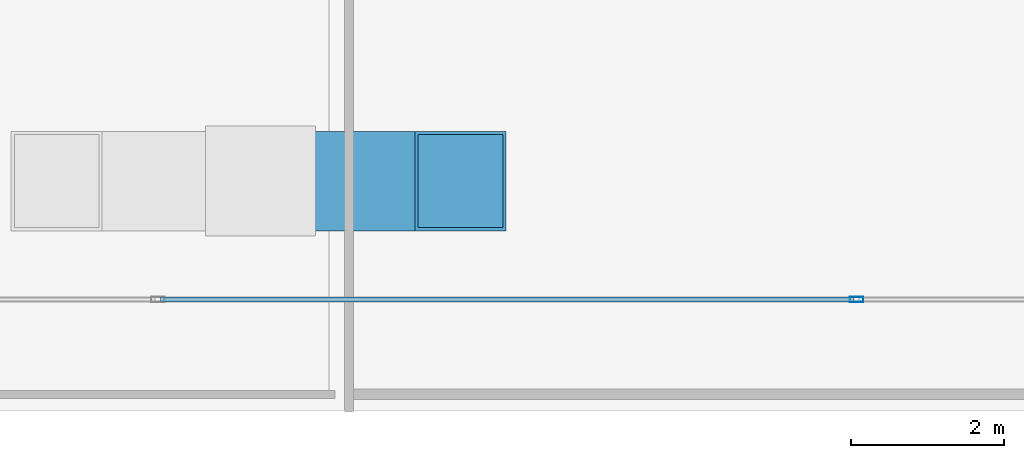
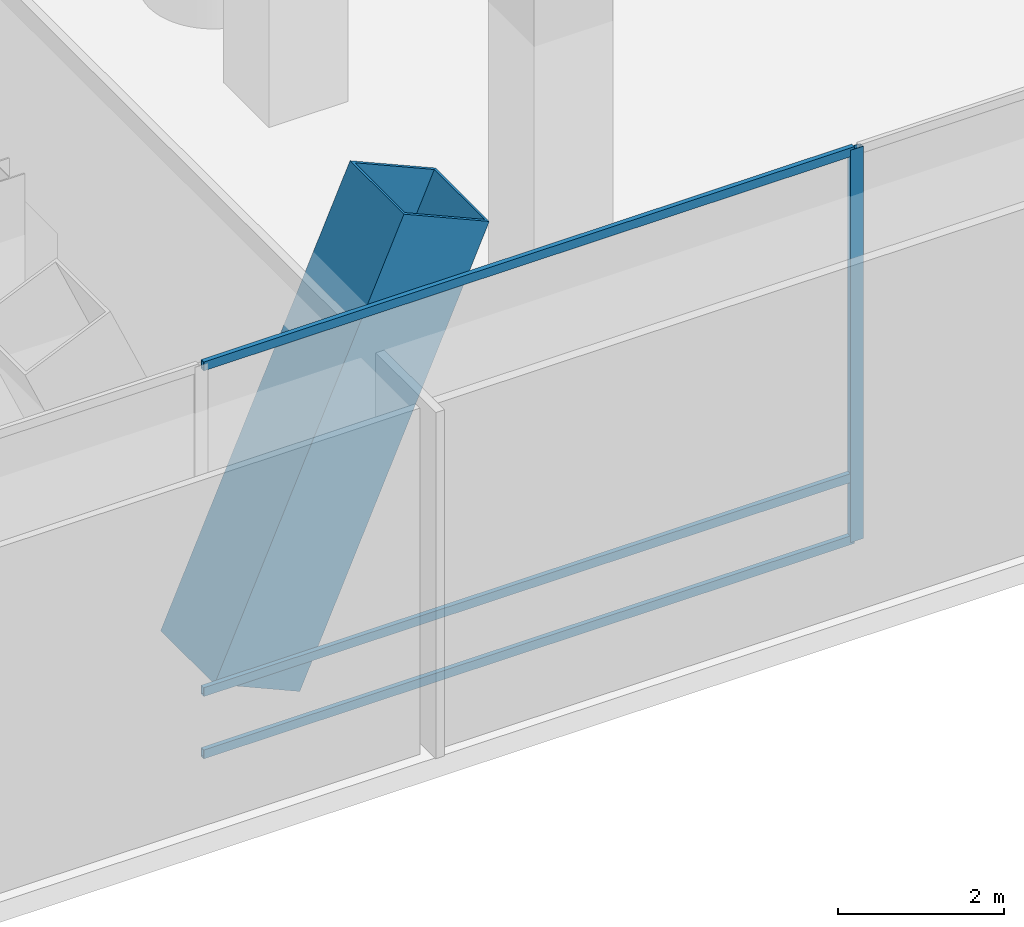
# One storey, part 7 of 40: 5 members, 1 element without a shape of its own.
"""IFC4 building model written with IfcOpenShell, lengths in metres."""

from ifc_helpers import new_model, si_unit, direction, frame, origin, origin_2d, place, context, subcontext, project, spatial, hollow_rectangle, extrude, material, layer, layer_set, material_profile, profile_set, type_object, element, aggregate, save


model = new_model("IFC4")

# Units and contexts
model_context = context("Model", 3, precision=1e-05, world=origin(), true_north=direction((0.0, 1.0)))
body_context = subcontext(model_context, "Body", "Model", "MODEL_VIEW")
ifc_project = project(units=[si_unit("LENGTHUNIT", "METRE"), si_unit("AREAUNIT", "SQUARE_METRE"), si_unit("VOLUMEUNIT", "CUBIC_METRE"), si_unit("PLANEANGLEUNIT", "RADIAN"), si_unit("MASSUNIT", "GRAM", prefix="KILO")], contexts=[model_context])

# Site, building, storey
site_placement = place(None, origin())
site = spatial("IfcSite", under=ifc_project, at=site_placement, CompositionType="ELEMENT")
building_placement = place(site_placement, origin())
building = spatial("IfcBuilding", under=site, at=building_placement, Name="Qianvela Tower", CompositionType="ELEMENT")
storey_placement = place(building_placement, origin())
storey = spatial("IfcBuildingStorey", under=building, at=storey_placement, Name="L00", CompositionType="ELEMENT", Elevation=0.0)

# Curtain wall, members
ifc_material_1 = material(Name="Anodised Architectural Aluminium and Low-E Glass", Category="aluminium")
ifc_layer = layer(ifc_material_1, 0.199951171875)
ifc_layer_set = layer_set([ifc_layer], Name="Anodised Architectural Aluminium and Low-E Glass")
curtain_wall_type = type_object("IfcCurtainWallType", Name="CW-CONCOURSE", PredefinedType="USERDEFINED", material=ifc_layer_set)
curtain_wall_placement = place(storey_placement, origin())
curtain_wall = element("IfcCurtainWall", 1, at=curtain_wall_placement, inside=storey, type_object=curtain_wall_type, Name="L00 CW-CONCOURSE Curtain Wall 01A", ObjectType="CURTAIN_WALL_SYSTEM", PredefinedType="USERDEFINED")
ifc_material_2 = material(Name="Anodised Architectural Aluminium 6063-T6", Category="aluminium")
ifc_material_profile_1 = material_profile(ifc_material_2, hollow_rectangle(XDim=0.070068359375, YDim=0.179931640625, WallThickness=0.0048828125, at=origin_2d()), Name="ALU-MULL-70x180")
ifc_profile_set_1 = profile_set([ifc_material_profile_1], Name="Anodised Architectural Aluminium 6063-T6")
member_type_1 = type_object("IfcMemberType", Name="CW-CONCOURSE-MULL", PredefinedType="MULLION", material=ifc_profile_set_1)
member_1_placement = place(storey_placement, frame((24.316650390625, 2.949951171875, 0.0), z_axis=(0.0, 0.0, 1.0), x_axis=(0.0, 1.0, 0.0)))
member_1 = element("IfcMember", 2, at=member_1_placement, type_object=member_type_1, Name="CW-1 mullion 3", PredefinedType="MULLION", context=body_context, shape_type="SweptSolid", body=[
    extrude(hollow_rectangle(XDim=0.070068359375, YDim=0.179931640625, WallThickness=0.0048828125, at=origin_2d()), origin(), (0.0, 0.0, 1.0), 5.780029296875),
])
ifc_material_3 = material(Name="Anodised Architectural Aluminium 6063-T6", Category="aluminium")
ifc_material_profile_2 = material_profile(ifc_material_3, hollow_rectangle(XDim=0.06494140625, YDim=0.1298828125, WallThickness=0.00439453125, at=origin_2d()), Name="ALU-TRAN-65x130")
ifc_profile_set_2 = profile_set([ifc_material_profile_2], Name="Anodised Architectural Aluminium 6063-T6")
member_type_2 = type_object("IfcMemberType", Name="CW-CONCOURSE-TRAN", PredefinedType="USERDEFINED", material=ifc_profile_set_2)
member_2_placement = place(storey_placement, frame((15.21826171875, 2.949951171875, 0.032470703125), z_axis=(1.0, 0.0, 0.0), x_axis=(0.0, 1.0, 0.0)))
member_2 = element("IfcMember", 3, at=member_2_placement, type_object=member_type_2, Name="CW-1 transom 2.1", ObjectType="TRANSOM", PredefinedType="USERDEFINED", context=body_context, shape_type="SweptSolid", body=[
    extrude(hollow_rectangle(XDim=0.06494140625, YDim=0.1298828125, WallThickness=0.00439453125, at=origin_2d()), origin(), (0.0, 0.0, 1.0), 9.0634765625),
])
member_3_placement = place(storey_placement, frame((15.21826171875, 2.949951171875, 0.949951171875), z_axis=(1.0, 0.0, 0.0), x_axis=(0.0, 1.0, 0.0)))
member_3 = element("IfcMember", 4, at=member_3_placement, type_object=member_type_2, Name="CW-1 transom 2.2", ObjectType="TRANSOM", PredefinedType="USERDEFINED", context=body_context, shape_type="SweptSolid", body=[
    extrude(hollow_rectangle(XDim=0.06494140625, YDim=0.1298828125, WallThickness=0.00439453125, at=origin_2d()), origin(), (0.0, 0.0, 1.0), 9.0634765625),
])
member_4_placement = place(storey_placement, frame((15.21826171875, 2.949951171875, 5.74755859375), z_axis=(1.0, 0.0, 0.0), x_axis=(0.0, 1.0, 0.0)))
member_4 = element("IfcMember", 5, at=member_4_placement, type_object=member_type_2, Name="CW-1 transom 2.3", ObjectType="TRANSOM", PredefinedType="USERDEFINED", context=body_context, shape_type="SweptSolid", body=[
    extrude(hollow_rectangle(XDim=0.06494140625, YDim=0.1298828125, WallThickness=0.00439453125, at=origin_2d()), origin(), (0.0, 0.0, 1.0), 9.0634765625),
])
aggregate(curtain_wall, [member_1, member_2, member_3, member_4])

# Member
ifc_material_4 = material(Name="Steel Q420GJC", Category="steel")
ifc_material_profile_3 = material_profile(ifc_material_4, hollow_rectangle(XDim=1.300048828125, YDim=1.300048828125, WallThickness=0.044921875, at=origin_2d()), Name="VBOX-1300x1300x45")
ifc_profile_set_3 = profile_set([ifc_material_profile_3], Name="Steel Q420GJC")
member_type_3 = type_object("IfcMemberType", Name="MBR-VCOL-1300", PredefinedType="POST", material=ifc_profile_set_3)
member_5_placement = place(storey_placement, frame((16.5, 4.5, 0.0), z_axis=(0.402662474024, 0.0, 0.91534853035), x_axis=(0.0, 1.0, 0.0)))
element("IfcMember", 6, at=member_5_placement, inside=storey, type_object=member_type_3, Name="L00 Concourse Inclined V-Column VC-S1 Leg R", PredefinedType="POST", context=body_context, shape_type="SweptSolid", body=[
    extrude(hollow_rectangle(XDim=1.300048828125, YDim=1.300048828125, WallThickness=0.044921875, at=origin_2d()), origin(), (0.0, 0.0, 1.0), 6.554931640625),
])

save(model, "model.ifc")
